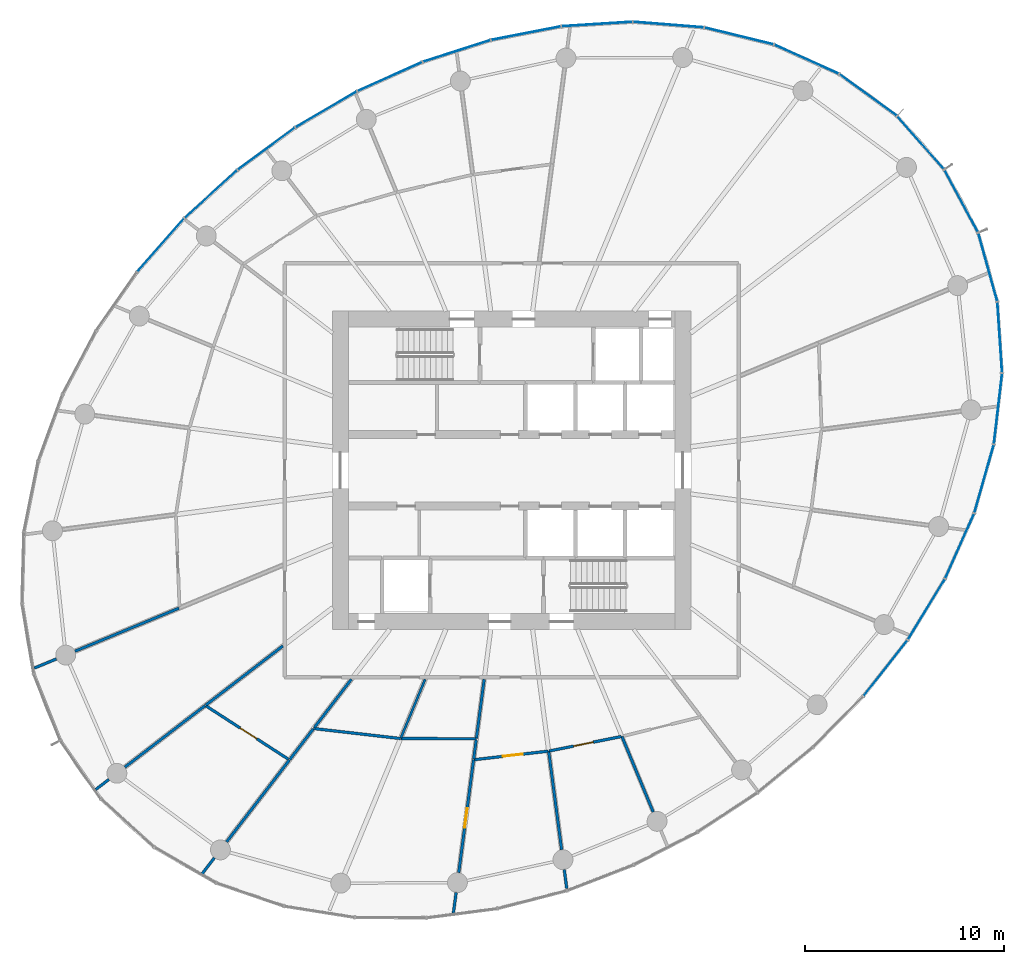
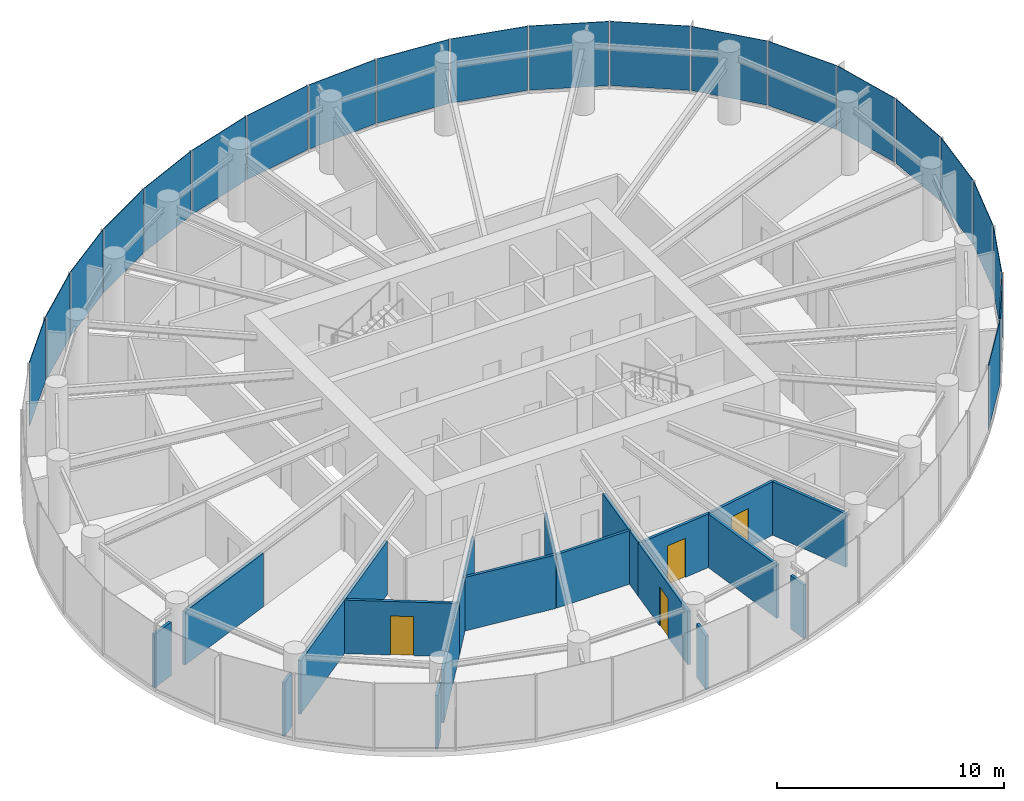
# One storey, part 8 of 14: 22 walls, 21 plates, 4 doors, 4 openings, 5 elements without a shape of their own.
"""IFC4 building model written with IfcOpenShell, lengths in metres."""

from ifc_helpers import new_model, si_unit, direction, frame, frame_2d, origin, origin_2d, place, context, subcontext, project, spatial, rectangle, extrude, source, transform, mapped, material, layer, layer_set, type_object, element, fill, aggregate, save


model = new_model("IFC4")

# Units and contexts
model_context = context("Model", 3, precision=1e-05, world=origin(), true_north=direction((0.0, 1.0)))
body_context = subcontext(model_context, "Body", "Model", "MODEL_VIEW")
ifc_project = project(units=[si_unit("LENGTHUNIT", "METRE"), si_unit("AREAUNIT", "SQUARE_METRE"), si_unit("VOLUMEUNIT", "CUBIC_METRE"), si_unit("PLANEANGLEUNIT", "RADIAN"), si_unit("MASSUNIT", "GRAM", prefix="KILO")], contexts=[model_context])

# Site, building, storey
site_placement = place(None, origin())
site = spatial("IfcSite", under=ifc_project, at=site_placement, CompositionType="ELEMENT")
building_placement = place(site_placement, origin())
building = spatial("IfcBuilding", under=site, at=building_placement, Name="Spindrift Exchange Tower", CompositionType="ELEMENT")
storey_placement = place(building_placement, frame((0.0, 0.0, 156.5)))
storey = spatial("IfcBuildingStorey", under=building, at=storey_placement, Name="L37", CompositionType="ELEMENT", Elevation=156.5)

# Curtain wall, plates
ifc_material_1 = material(Name="Fritted laminated glass with bronze frame", Category="glass")
ifc_layer_1 = layer(ifc_material_1, 0.179931640625)
ifc_layer_set_1 = layer_set([ifc_layer_1], Name="ZONE 3 BRONZE FRITTED WALL")
curtain_wall_type = type_object("IfcCurtainWallType", Name="ZONE 3 BRONZE FRITTED WALL", PredefinedType="NOTDEFINED", material=ifc_layer_set_1)
curtain_wall_1_placement = place(storey_placement, origin())
curtain_wall_1 = element("IfcCurtainWall", 1, at=curtain_wall_1_placement, inside=storey, type_object=curtain_wall_type, Name="L37 Zone 3 Bronze Fritted Wall run 2", PredefinedType="NOTDEFINED")
ifc_material_2 = material(Name="Bronze fritted laminated glass, open frit", Category="glass")
ifc_layer_2 = layer(ifc_material_2, 0.031982421875)
ifc_layer_set_2 = layer_set([ifc_layer_2], Name="ZONE 3 BRONZE FRITTED WALL PANEL OPEN FRIT 600")
plate_type_1 = type_object("IfcPlateType", Name="ZONE 3 BRONZE FRITTED WALL PANEL OPEN FRIT 600", PredefinedType="CURTAIN_PANEL", material=ifc_layer_set_2)
shared_shape_1 = source(origin(), body_context, "Body", "SweptSolid", [
    extrude(rectangle(XDim=3.53076171875, YDim=0.031982421875, at=origin_2d()), origin(), (0.0, 0.0, 1.0), 3.449951171875),
])
plate_1_placement = place(storey_placement, frame((45.88330078125, 67.772216796875, 0.1298828125), z_axis=(0.0, 0.0, 1.0), x_axis=(-0.912397501866, -0.409305263328, 0.0)))
plate_1 = element("IfcPlate", 2, at=plate_1_placement, type_object=plate_type_1, Name="L37 panel CW-3.9", PredefinedType="CURTAIN_PANEL", context=body_context, shape_type="MappedRepresentation", body=[
    mapped(shared_shape_1, transform((0.0, 0.0, 0.0), scale=1.0)),
])
ifc_layer_3 = layer(ifc_material_2, 0.031982421875)
ifc_layer_set_3 = layer_set([ifc_layer_3], Name="ZONE 3 BRONZE FRITTED WALL PANEL OPEN FRIT 360")
plate_type_2 = type_object("IfcPlateType", Name="ZONE 3 BRONZE FRITTED WALL PANEL OPEN FRIT 360", PredefinedType="CURTAIN_PANEL", material=ifc_layer_set_3)
shared_shape_2 = source(origin(), body_context, "Body", "SweptSolid", [
    extrude(rectangle(XDim=3.53076171875, YDim=0.031982421875, at=origin_2d()), origin(), (0.0, 0.0, 1.0), 3.449951171875),
])
plate_2_placement = place(storey_placement, frame((36.89794921875, 61.875244140625, 0.1298828125), z_axis=(0.0, 0.0, 1.0), x_axis=(-0.739077595143, -0.673620299841, 0.0)))
plate_2 = element("IfcPlate", 3, at=plate_2_placement, type_object=plate_type_2, Name="L37 panel CW-3.12", PredefinedType="CURTAIN_PANEL", context=body_context, shape_type="MappedRepresentation", body=[
    mapped(shared_shape_2, transform((0.0, 0.0, 0.0), scale=1.0)),
])
shared_shape_3 = source(origin(), body_context, "Body", "SweptSolid", [
    extrude(rectangle(XDim=3.530517578125, YDim=0.031982421875, at=origin_2d()), origin(), (0.0, 0.0, 1.0), 3.449951171875),
])
plate_3_placement = place(storey_placement, frame((49.239990234375, 69.059326171875, 0.1298828125), z_axis=(0.0, 0.0, 1.0), x_axis=(-0.952164599996, -0.305585625503, 0.0)))
plate_3 = element("IfcPlate", 4, at=plate_3_placement, type_object=plate_type_1, Name="L37 panel CW-3.8", PredefinedType="CURTAIN_PANEL", context=body_context, shape_type="MappedRepresentation", body=[
    mapped(shared_shape_3, transform((0.0, 0.0, 0.0), scale=1.0)),
])

# Curtain wall, plate
curtain_wall_2_placement = place(storey_placement, origin())
curtain_wall_2 = element("IfcCurtainWall", 5, at=curtain_wall_2_placement, inside=storey, type_object=curtain_wall_type, Name="L37 Zone 3 Bronze Fritted Wall run 6", PredefinedType="NOTDEFINED")
ifc_layer_4 = layer(ifc_material_2, 0.031982421875)
ifc_layer_set_4 = layer_set([ifc_layer_4], Name="ZONE 3 BRONZE FRITTED WALL PANEL OPEN FRIT 480")
plate_type_3 = type_object("IfcPlateType", Name="ZONE 3 BRONZE FRITTED WALL PANEL OPEN FRIT 480", PredefinedType="CURTAIN_PANEL", material=ifc_layer_set_4)
shared_shape_4 = source(origin(), body_context, "Body", "SweptSolid", [
    extrude(rectangle(XDim=3.530517578125, YDim=0.031982421875, at=origin_2d()), origin(), (0.0, 0.0, 1.0), 3.449951171875),
])
plate_4_placement = place(storey_placement, frame((70.774658203125, 38.069091796875, 0.1298828125), z_axis=(0.0, 0.0, 1.0), x_axis=(0.61845639947, 0.78581911529, 0.0)))
plate_4 = element("IfcPlate", 6, at=plate_4_placement, type_object=plate_type_3, Name="L37 panel CW-3.34", PredefinedType="CURTAIN_PANEL", context=body_context, shape_type="MappedRepresentation", body=[
    mapped(shared_shape_4, transform((0.0, 0.0, 0.0), scale=1.0)),
])

# Plate
shared_shape_5 = source(origin(), body_context, "Body", "SweptSolid", [
    extrude(rectangle(XDim=3.531005859375, YDim=0.031982421875, at=origin_2d()), origin(), (0.0, 0.0, 1.0), 3.449951171875),
])
plate_5_placement = place(storey_placement, frame((42.685791015625, 66.12744140625, 0.1298828125), z_axis=(0.0, 0.0, 1.0), x_axis=(-0.863565451016, -0.504236761661, 0.0)))
plate_5 = element("IfcPlate", 7, at=plate_5_placement, type_object=plate_type_3, Name="L37 panel CW-3.10", PredefinedType="CURTAIN_PANEL", context=body_context, shape_type="MappedRepresentation", body=[
    mapped(shared_shape_5, transform((0.0, 0.0, 0.0), scale=1.0)),
])

plate_6_placement = place(storey_placement, frame((39.6796875, 64.15380859375, 0.1298828125), z_axis=(0.0, 0.0, 1.0), x_axis=(-0.805965477943, -0.591962539663, 0.0)))
plate_6 = element("IfcPlate", 8, at=plate_6_placement, type_object=plate_type_3, Name="L37 panel CW-3.11", PredefinedType="CURTAIN_PANEL", context=body_context, shape_type="MappedRepresentation", body=[
    mapped(shared_shape_5, transform((0.0, 0.0, 0.0), scale=1.0)),
])

# Curtain wall, plate
curtain_wall_3_placement = place(storey_placement, origin())
curtain_wall_3 = element("IfcCurtainWall", 9, at=curtain_wall_3_placement, inside=storey, type_object=curtain_wall_type, Name="L37 Zone 3 Bronze Fritted Wall run 3", PredefinedType="NOTDEFINED")
shared_shape_6 = source(origin(), body_context, "Body", "SweptSolid", [
    extrude(rectangle(XDim=3.53076171875, YDim=0.031982421875, at=origin_2d()), origin(), (0.0, 0.0, 1.0), 3.449951171875),
])
plate_7_placement = place(storey_placement, frame((34.376220703125, 59.312744140625, 0.1298828125), z_axis=(0.0, 0.0, 1.0), x_axis=(-0.661686211487, -0.749780873008, 0.0)))
plate_7 = element("IfcPlate", 10, at=plate_7_placement, type_object=plate_type_3, Name="L37 panel CW-3.13", PredefinedType="CURTAIN_PANEL", context=body_context, shape_type="MappedRepresentation", body=[
    mapped(shared_shape_6, transform((0.0, 0.0, 0.0), scale=1.0)),
])
aggregate(curtain_wall_3, [plate_7])

curtain_wall_4_placement = place(storey_placement, origin())
curtain_wall_4 = element("IfcCurtainWall", 11, at=curtain_wall_4_placement, inside=storey, type_object=curtain_wall_type, Name="L37 Zone 3 Bronze Fritted Wall run 1", PredefinedType="NOTDEFINED")
shared_shape_7 = source(origin(), body_context, "Body", "SweptSolid", [
    extrude(rectangle(XDim=3.529052734375, YDim=0.031982421875, at=origin_2d()), origin(), (0.0, 0.0, 1.0), 3.449951171875),
])
plate_8_placement = place(storey_placement, frame((59.874755859375, 70.3828125, 0.1298828125), z_axis=(0.0, 0.0, 1.0), x_axis=(-0.99685097737, 0.079297723277, 0.0)))
plate_8 = element("IfcPlate", 12, at=plate_8_placement, type_object=plate_type_2, Name="L37 panel CW-3.5", PredefinedType="CURTAIN_PANEL", context=body_context, shape_type="MappedRepresentation", body=[
    mapped(shared_shape_7, transform((0.0, 0.0, 0.0), scale=1.0)),
])

# Plate
shared_shape_8 = source(origin(), body_context, "Body", "SweptSolid", [
    extrude(rectangle(XDim=3.52978515625, YDim=0.031982421875, at=origin_2d()), origin(), (0.0, 0.0, 1.0), 3.449951171875),
])
plate_9_placement = place(storey_placement, frame((74.49853515625, 44.19970703125, 0.1298828125), z_axis=(0.0, 0.0, 1.0), x_axis=(0.407490673381, 0.913209368714, 0.0)))
plate_9 = element("IfcPlate", 13, at=plate_9_placement, type_object=plate_type_2, Name="L37 panel CW-3.36", PredefinedType="CURTAIN_PANEL", context=body_context, shape_type="MappedRepresentation", body=[
    mapped(shared_shape_8, transform((0.0, 0.0, 0.0), scale=1.0)),
])

shared_shape_9 = source(origin(), body_context, "Body", "SweptSolid", [
    extrude(rectangle(XDim=3.5302734375, YDim=0.031982421875, at=origin_2d()), origin(), (0.0, 0.0, 1.0), 3.449951171875),
])
plate_10_placement = place(storey_placement, frame((72.82666015625, 41.019775390625, 0.1298828125), z_axis=(0.0, 0.0, 1.0), x_axis=(0.521344780273, 0.853346131462, 0.0)))
plate_10 = element("IfcPlate", 14, at=plate_10_placement, type_object=plate_type_2, Name="L37 panel CW-3.35", PredefinedType="CURTAIN_PANEL", context=body_context, shape_type="MappedRepresentation", body=[
    mapped(shared_shape_9, transform((0.0, 0.0, 0.0), scale=1.0)),
])

aggregate(curtain_wall_2, [plate_4, plate_10, plate_9])

# Curtain wall, plate
curtain_wall_5_placement = place(storey_placement, origin())
curtain_wall_5 = element("IfcCurtainWall", 15, at=curtain_wall_5_placement, inside=storey, type_object=curtain_wall_type, Name="L37 Zone 3 Bronze Fritted Wall run 7", PredefinedType="NOTDEFINED")
shared_shape_10 = source(origin(), body_context, "Body", "SweptSolid", [
    extrude(rectangle(XDim=3.529052734375, YDim=0.031982421875, at=origin_2d()), origin(), (0.0, 0.0, 1.0), 3.449951171875),
])
plate_11_placement = place(storey_placement, frame((75.723876953125, 47.574462890625, 0.1298828125), z_axis=(0.0, 0.0, 1.0), x_axis=(0.273314592, 0.96192470277, 0.0)))
plate_11 = element("IfcPlate", 16, at=plate_11_placement, type_object=plate_type_3, Name="L37 panel CW-3.37", PredefinedType="CURTAIN_PANEL", context=body_context, shape_type="MappedRepresentation", body=[
    mapped(shared_shape_10, transform((0.0, 0.0, 0.0), scale=1.0)),
])

# Plate
shared_shape_11 = source(origin(), body_context, "Body", "SweptSolid", [
    extrude(rectangle(XDim=3.528076171875, YDim=0.031982421875, at=origin_2d()), origin(), (0.0, 0.0, 1.0), 3.449951171875),
])
plate_12_placement = place(storey_placement, frame((63.416015625, 69.81201171875, 0.1298828125), z_axis=(0.0, 0.0, 1.0), x_axis=(-0.971255303602, 0.238040196656, 0.0)))
plate_12 = element("IfcPlate", 17, at=plate_12_placement, type_object=plate_type_3, Name="L37 panel CW-3.4", PredefinedType="CURTAIN_PANEL", context=body_context, shape_type="MappedRepresentation", body=[
    mapped(shared_shape_11, transform((0.0, 0.0, 0.0), scale=1.0)),
])

shared_shape_12 = source(origin(), body_context, "Body", "SweptSolid", [
    extrude(rectangle(XDim=3.524658203125, YDim=0.031982421875, at=origin_2d()), origin(), (0.0, 0.0, 1.0), 3.449951171875),
])
plate_13_placement = place(storey_placement, frame((72.542724609375, 64.44921875, 0.1298828125), z_axis=(0.0, 0.0, 1.0), x_axis=(-0.660662258976, 0.750683275133, 0.0)))
plate_13 = element("IfcPlate", 18, at=plate_13_placement, type_object=plate_type_3, Name="L37 panel CW-3.1", PredefinedType="CURTAIN_PANEL", context=body_context, shape_type="MappedRepresentation", body=[
    mapped(shared_shape_12, transform((0.0, 0.0, 0.0), scale=1.0)),
])

shared_shape_13 = source(origin(), body_context, "Body", "SweptSolid", [
    extrude(rectangle(XDim=3.528076171875, YDim=0.031982421875, at=origin_2d()), origin(), (0.0, 0.0, 1.0), 3.449951171875),
])
plate_14_placement = place(storey_placement, frame((76.423583984375, 51.092529296875, 0.1298828125), z_axis=(0.0, 0.0, 1.0), x_axis=(0.115642762791, 0.993290869491, 0.0)))
plate_14 = element("IfcPlate", 19, at=plate_14_placement, type_object=plate_type_1, Name="L37 panel CW-3.38", PredefinedType="CURTAIN_PANEL", context=body_context, shape_type="MappedRepresentation", body=[
    mapped(shared_shape_13, transform((0.0, 0.0, 0.0), scale=1.0)),
])

shared_shape_14 = source(origin(), body_context, "Body", "SweptSolid", [
    extrude(rectangle(XDim=3.52978515625, YDim=0.031982421875, at=origin_2d()), origin(), (0.0, 0.0, 1.0), 3.449951171875),
])
plate_15_placement = place(storey_placement, frame((56.284423828125, 70.411376953125, 0.1298828125), z_axis=(0.0, 0.0, 1.0), x_axis=(-0.997985196904, -0.063447196626, 0.0)))
plate_15 = element("IfcPlate", 20, at=plate_15_placement, type_object=plate_type_3, Name="L37 panel CW-3.6", PredefinedType="CURTAIN_PANEL", context=body_context, shape_type="MappedRepresentation", body=[
    mapped(shared_shape_14, transform((0.0, 0.0, 0.0), scale=1.0)),
])

shared_shape_15 = source(origin(), body_context, "Body", "SweptSolid", [
    extrude(rectangle(XDim=3.525634765625, YDim=0.031982421875, at=origin_2d()), origin(), (0.0, 0.0, 1.0), 3.449951171875),
])
plate_16_placement = place(storey_placement, frame((75.912109375, 58.20068359375, 0.1298828125), z_axis=(0.0, 0.0, 1.0), x_axis=(-0.267551186541, 0.963543648508, 0.0)))
plate_16 = element("IfcPlate", 21, at=plate_16_placement, type_object=plate_type_3, Name="L37 panel CW-3.40", PredefinedType="CURTAIN_PANEL", context=body_context, shape_type="MappedRepresentation", body=[
    mapped(shared_shape_15, transform((0.0, 0.0, 0.0), scale=1.0)),
])

shared_shape_16 = source(origin(), body_context, "Body", "SweptSolid", [
    extrude(rectangle(XDim=3.5302734375, YDim=0.031982421875, at=origin_2d()), origin(), (0.0, 0.0, 1.0), 3.449951171875),
])
plate_17_placement = place(storey_placement, frame((52.72119140625, 69.953369140625, 0.1298828125), z_axis=(0.0, 0.0, 1.0), x_axis=(-0.981587532358, -0.191012869514, 0.0)))
plate_17 = element("IfcPlate", 22, at=plate_17_placement, type_object=plate_type_1, Name="L37 panel CW-3.7", PredefinedType="CURTAIN_PANEL", context=body_context, shape_type="MappedRepresentation", body=[
    mapped(shared_shape_16, transform((0.0, 0.0, 0.0), scale=1.0)),
])

aggregate(curtain_wall_1, [plate_17, plate_3, plate_1, plate_5, plate_6, plate_2])

shared_shape_17 = source(origin(), body_context, "Body", "SweptSolid", [
    extrude(rectangle(XDim=3.525634765625, YDim=0.031982421875, at=origin_2d()), origin(), (0.0, 0.0, 1.0), 3.449951171875),
])
plate_18_placement = place(storey_placement, frame((69.8994140625, 66.853515625, 0.1298828125), z_axis=(0.0, 0.0, 1.0), x_axis=(-0.809757036341, 0.586765321143, 0.0)))
plate_18 = element("IfcPlate", 23, at=plate_18_placement, type_object=plate_type_1, Name="L37 panel CW-3.2", PredefinedType="CURTAIN_PANEL", context=body_context, shape_type="MappedRepresentation", body=[
    mapped(shared_shape_17, transform((0.0, 0.0, 0.0), scale=1.0)),
])

shared_shape_18 = source(origin(), body_context, "Body", "SweptSolid", [
    extrude(rectangle(XDim=3.52685546875, YDim=0.031982421875, at=origin_2d()), origin(), (0.0, 0.0, 1.0), 3.449951171875),
])
plate_19_placement = place(storey_placement, frame((66.803466796875, 68.64599609375, 0.1298828125), z_axis=(0.0, 0.0, 1.0), x_axis=(-0.9120027449, 0.410184096832, 0.0)))
plate_19 = element("IfcPlate", 24, at=plate_19_placement, type_object=plate_type_1, Name="L37 panel CW-3.3", PredefinedType="CURTAIN_PANEL", context=body_context, shape_type="MappedRepresentation", body=[
    mapped(shared_shape_18, transform((0.0, 0.0, 0.0), scale=1.0)),
])

aggregate(curtain_wall_4, [plate_13, plate_18, plate_19, plate_12, plate_8, plate_15])

plate_20_placement = place(storey_placement, frame((76.512451171875, 54.674072265625, 0.1298828125), z_axis=(0.0, 0.0, 1.0), x_axis=(-0.066390579917, 0.997793711595, 0.0)))
plate_20 = element("IfcPlate", 25, at=plate_20_placement, type_object=plate_type_1, Name="L37 panel CW-3.39", PredefinedType="CURTAIN_PANEL", context=body_context, shape_type="MappedRepresentation", body=[
    mapped(shared_shape_18, transform((0.0, 0.0, 0.0), scale=1.0)),
])

shared_shape_19 = source(origin(), body_context, "Body", "SweptSolid", [
    extrude(rectangle(XDim=3.52490234375, YDim=0.031982421875, at=origin_2d()), origin(), (0.0, 0.0, 1.0), 3.449951171875),
])
plate_21_placement = place(storey_placement, frame((74.58056640625, 61.5166015625, 0.1298828125), z_axis=(0.0, 0.0, 1.0), x_axis=(-0.473127475376, 0.880993979574, 0.0)))
plate_21 = element("IfcPlate", 26, at=plate_21_placement, type_object=plate_type_1, Name="L37 panel CW-3.41", PredefinedType="CURTAIN_PANEL", context=body_context, shape_type="MappedRepresentation", body=[
    mapped(shared_shape_19, transform((0.0, 0.0, 0.0), scale=1.0)),
])

aggregate(curtain_wall_5, [plate_11, plate_14, plate_20, plate_16, plate_21])

# Wall, opening, door
ifc_material_3 = material(Name="Fire-rated plasterboard partition", Category="gypsum")
ifc_layer_5 = layer(ifc_material_3, 0.139892578125)
ifc_layer_set_5 = layer_set([ifc_layer_5], Name="W-PART-140")
wall_type_1 = type_object("IfcWallType", Name="W-PART-140", PredefinedType="PARTITIONING", material=ifc_layer_set_5)
wall_1_placement = place(storey_placement, frame((49.33984375, 27.794921875, 0.0), z_axis=(0.0, 0.0, 1.0), x_axis=(0.13055608231, 0.99144092581, 0.0)))
wall_1 = element("IfcWall", 27, at=wall_1_placement, inside=storey, type_object=wall_type_1, Name="L37 Partition wall 35", PredefinedType="PARTITIONING", context=body_context, shape_type="SweptSolid", body=[
    extrude(rectangle(XDim=5.720458984375, YDim=0.139892578125, at=frame_2d((2.8603515625, 0.0))), origin(), (0.0, 0.0, 1.0), 2.8798828125),
])
opening_1_placement = place(wall_1_placement, frame((2.2705078125, 0.0, 0.0)))
opening_1 = element("IfcOpeningElement", 28, at=opening_1_placement, cuts=wall_1, Name="Opening L37-D25", PredefinedType="OPENING", context=body_context, shape_type="SweptSolid", body=[
    extrude(rectangle(XDim=1.0, YDim=2.10009765625, at=frame_2d((0.5, 1.050048828125))), frame((0.0, 0.079833984375, 0.0), z_axis=(0.0, -1.0, 0.0), x_axis=(1.0, 0.0, 0.0)), (0.0, 0.0, 1.0), 0.159912109375),
])
ifc_material_4 = material(Name="Timber-core fire door", Category="wood")
door_type = type_object("IfcDoorType", Name="DR-ROOM-1000", OperationType="NOTDEFINED", PredefinedType="DOOR", material=ifc_material_4)
shared_shape_20 = source(origin(), body_context, "Body", "SweptSolid", [
    extrude(rectangle(XDim=1.0, YDim=2.10009765625, at=frame_2d((0.5, 1.050048828125))), frame((0.0, 0.02490234375, 0.0), z_axis=(0.0, -1.0, 0.0), x_axis=(1.0, 0.0, 0.0)), (0.0, 0.0, 1.0), 0.050048828125),
])
door_1_placement = place(opening_1_placement, origin())
door_1 = element("IfcDoor", 29, at=door_1_placement, inside=storey, type_object=door_type, Name="L37 Door 25", OperationType="SINGLE_SWING_RIGHT", OverallHeight=2.10009765625, OverallWidth=1.0, PredefinedType="DOOR", context=body_context, shape_type="MappedRepresentation", body=[
    mapped(shared_shape_20, transform((0.0, 0.0, 0.0), scale=1.0)),
])
fill(opening_1, door_1)

# Walls
wall_2_placement = place(storey_placement, frame((35.292724609375, 41.07958984375, 0.0), z_axis=(0.0, 0.0, 1.0), x_axis=(-0.923883666289, -0.38267345239, 0.0)))
element("IfcWall", 30, at=wall_2_placement, inside=storey, type_object=wall_type_1, Name="L37 Partition wall 37", PredefinedType="PARTITIONING", context=body_context, shape_type="SweptSolid", body=[
    extrude(rectangle(XDim=5.6533203125, YDim=0.139892578125, at=frame_2d((2.82666015625, 0.0))), origin(), (0.0, 0.0, 1.0), 2.8798828125),
])
wall_3_placement = place(storey_placement, frame((40.840576171875, 33.456787109375, 0.0), z_axis=(0.0, 0.0, 1.0), x_axis=(-0.608780216018, -0.793338924159, 0.0)))
element("IfcWall", 31, at=wall_3_placement, inside=storey, type_object=wall_type_1, Name="L37 Partition wall 38", PredefinedType="PARTITIONING", context=body_context, shape_type="SweptSolid", body=[
    extrude(rectangle(XDim=5.188232421875, YDim=0.139892578125, at=frame_2d((2.59423828125, 0.0))), origin(), (0.0, 0.0, 1.0), 2.8798828125),
])
wall_4_placement = place(storey_placement, frame((36.6142578125, 36.194091796875, 0.0), z_axis=(0.0, 0.0, 1.0), x_axis=(-0.79337017358, -0.608739490811, 0.0)))
element("IfcWall", 32, at=wall_4_placement, inside=storey, type_object=wall_type_1, Name="L37 Partition wall 39", PredefinedType="PARTITIONING", context=body_context, shape_type="SweptSolid", body=[
    extrude(rectangle(XDim=5.09228515625, YDim=0.139892578125, at=frame_2d((2.546142578125, 0.0))), origin(), (0.0, 0.0, 1.0), 2.8798828125),
])

# Wall, opening, door
wall_5_placement = place(storey_placement, frame((40.78173828125, 33.4951171875, 0.0), z_axis=(0.0, 0.0, 1.0), x_axis=(-0.839336490457, 0.543612229247, 0.0)))
wall_5 = element("IfcWall", 33, at=wall_5_placement, inside=storey, type_object=wall_type_1, Name="L37 Partition wall 40", PredefinedType="PARTITIONING", context=body_context, shape_type="SweptSolid", body=[
    extrude(rectangle(XDim=4.935302734375, YDim=0.139892578125, at=frame_2d((2.4677734375, 0.0))), origin(), (0.0, 0.0, 1.0), 2.8798828125),
])
opening_2_placement = place(wall_5_placement, frame((1.885009765625, 0.0, 0.0)))
opening_2 = element("IfcOpeningElement", 34, at=opening_2_placement, cuts=wall_5, Name="Opening L37-D44", PredefinedType="OPENING", context=body_context, shape_type="SweptSolid", body=[
    extrude(rectangle(XDim=1.0, YDim=2.10009765625, at=frame_2d((0.5, 1.050048828125))), frame((0.0, 0.079833984375, 0.0), z_axis=(0.0, -1.0, 0.0), x_axis=(1.0, 0.0, 0.0)), (0.0, 0.0, 1.0), 0.159912109375),
])
door_2_placement = place(opening_2_placement, origin())
door_2 = element("IfcDoor", 35, at=door_2_placement, inside=storey, type_object=door_type, Name="L37 Door 44", OperationType="SINGLE_SWING_LEFT", OverallHeight=2.10009765625, OverallWidth=1.0, PredefinedType="DOOR", context=body_context, shape_type="MappedRepresentation", body=[
    mapped(shared_shape_20, transform((0.0, 0.0, 0.0), scale=1.0)),
])
fill(opening_2, door_2)

# Walls
wall_6_placement = place(storey_placement, frame((40.510009765625, 39.183349609375, 0.0), z_axis=(0.0, 0.0, 1.0), x_axis=(-0.793354275357, -0.608760210405, 0.0)))
element("IfcWall", 36, at=wall_6_placement, inside=storey, type_object=wall_type_1, Name="L37 Partition wall 41", PredefinedType="PARTITIONING", context=body_context, shape_type="SweptSolid", body=[
    extrude(rectangle(XDim=4.88037109375, YDim=0.139892578125, at=frame_2d((2.440185546875, 0.0))), origin(), (0.0, 0.0, 1.0), 2.8798828125),
])
wall_7_placement = place(storey_placement, frame((53.856201171875, 33.900390625, 0.0), z_axis=(0.0, 0.0, 1.0), x_axis=(0.130517737487, -0.991445974424, 0.0)))
element("IfcWall", 37, at=wall_7_placement, inside=storey, type_object=wall_type_1, Name="L37 Partition wall 43", PredefinedType="PARTITIONING", context=body_context, shape_type="SweptSolid", body=[
    extrude(rectangle(XDim=4.994384765625, YDim=0.139892578125, at=frame_2d((2.4970703125, 0.0))), origin(), (0.0, 0.0, 1.0), 2.8798828125),
])
wall_8_placement = place(storey_placement, frame((42.0517578125, 35.03515625, 0.0), z_axis=(0.0, 0.0, 1.0), x_axis=(0.993448498383, -0.114280711669, 0.0)))
element("IfcWall", 38, at=wall_8_placement, inside=storey, type_object=wall_type_1, Name="L37 Partition wall 51", PredefinedType="PARTITIONING", context=body_context, shape_type="SweptSolid", body=[
    extrude(rectangle(XDim=4.398681640625, YDim=0.139892578125, at=frame_2d((2.19921875, 0.0))), origin(), (0.0, 0.0, 1.0), 2.8798828125),
])
wall_9_placement = place(storey_placement, frame((57.5341796875, 34.639404296875, 0.0), z_axis=(0.0, 0.0, 1.0), x_axis=(0.382696163026, -0.923874259196, 0.0)))
element("IfcWall", 39, at=wall_9_placement, inside=storey, type_object=wall_type_1, Name="L37 Partition wall 57", PredefinedType="PARTITIONING", context=body_context, shape_type="SweptSolid", body=[
    extrude(rectangle(XDim=4.111572265625, YDim=0.139892578125, at=frame_2d((2.0556640625, 0.0))), origin(), (0.0, 0.0, 1.0), 2.8798828125),
])
wall_10_placement = place(storey_placement, frame((46.45166015625, 34.532470703125, 0.0), z_axis=(0.0, 0.0, 1.0), x_axis=(0.999995948964, -0.002846411033, 0.0)))
element("IfcWall", 40, at=wall_10_placement, inside=storey, type_object=wall_type_1, Name="L37 Partition wall 63", PredefinedType="PARTITIONING", context=body_context, shape_type="SweptSolid", body=[
    extrude(rectangle(XDim=3.77392578125, YDim=0.139892578125, at=frame_2d((1.886962890625, 0.0))), origin(), (0.0, 0.0, 1.0), 2.8798828125),
])

# Wall, opening, door
wall_11_placement = place(storey_placement, frame((53.826416015625, 33.89697265625, 0.0), z_axis=(0.0, 0.0, 1.0), x_axis=(-0.993434107381, -0.114405744138, 0.0)))
wall_11 = element("IfcWall", 41, at=wall_11_placement, inside=storey, type_object=wall_type_1, Name="L37 Partition wall 64", PredefinedType="PARTITIONING", context=body_context, shape_type="SweptSolid", body=[
    extrude(rectangle(XDim=3.734375, YDim=0.139892578125, at=frame_2d((1.8671875, 0.0))), origin(), (0.0, 0.0, 1.0), 2.8798828125),
])
opening_3_placement = place(wall_11_placement, frame((1.28466796875, 0.0, 0.0)))
opening_3 = element("IfcOpeningElement", 42, at=opening_3_placement, cuts=wall_11, Name="Opening L37-D22", PredefinedType="OPENING", context=body_context, shape_type="SweptSolid", body=[
    extrude(rectangle(XDim=1.0, YDim=2.10009765625, at=frame_2d((0.5, 1.050048828125))), frame((0.0, 0.079833984375, 0.0), z_axis=(0.0, -1.0, 0.0), x_axis=(1.0, 0.0, 0.0)), (0.0, 0.0, 1.0), 0.159912109375),
])
door_3_placement = place(opening_3_placement, origin())
door_3 = element("IfcDoor", 43, at=door_3_placement, inside=storey, type_object=door_type, Name="L37 Door 22", OperationType="SINGLE_SWING_LEFT", OverallHeight=2.10009765625, OverallWidth=1.0, PredefinedType="DOOR", context=body_context, shape_type="MappedRepresentation", body=[
    mapped(shared_shape_20, transform((0.0, 0.0, 0.0), scale=1.0)),
])
fill(opening_3, door_3)

wall_12_placement = place(storey_placement, frame((57.504638671875, 34.633544921875, 0.0), z_axis=(0.0, 0.0, 1.0), x_axis=(-0.980399657824, -0.197019062376, 0.0)))
wall_12 = element("IfcWall", 44, at=wall_12_placement, inside=storey, type_object=wall_type_1, Name="L37 Partition wall 65", PredefinedType="PARTITIONING", context=body_context, shape_type="SweptSolid", body=[
    extrude(rectangle(XDim=3.69140625, YDim=0.139892578125, at=frame_2d((1.845703125, 0.0))), origin(), (0.0, 0.0, 1.0), 2.8798828125),
])
opening_4_placement = place(wall_12_placement, frame((1.44140625, 0.0, 0.0)))
opening_4 = element("IfcOpeningElement", 45, at=opening_4_placement, cuts=wall_12, Name="Opening L37-D23", PredefinedType="OPENING", context=body_context, shape_type="SweptSolid", body=[
    extrude(rectangle(XDim=1.0, YDim=2.10009765625, at=frame_2d((0.5, 1.050048828125))), frame((0.0, 0.079833984375, 0.0), z_axis=(0.0, -1.0, 0.0), x_axis=(1.0, 0.0, 0.0)), (0.0, 0.0, 1.0), 0.159912109375),
])
door_4_placement = place(opening_4_placement, origin())
door_4 = element("IfcDoor", 46, at=door_4_placement, inside=storey, type_object=door_type, Name="L37 Door 23", OperationType="SINGLE_SWING_RIGHT", OverallHeight=2.10009765625, OverallWidth=1.0, PredefinedType="DOOR", context=body_context, shape_type="MappedRepresentation", body=[
    mapped(shared_shape_20, transform((0.0, 0.0, 0.0), scale=1.0)),
])
fill(opening_4, door_4)

# Walls
wall_13_placement = place(storey_placement, frame((43.95068359375, 37.510009765625, 0.0), z_axis=(0.0, 0.0, 1.0), x_axis=(-0.608758797461, -0.793355359542, 0.0)))
element("IfcWall", 47, at=wall_13_placement, inside=storey, type_object=wall_type_1, Name="L37 Partition wall 68", PredefinedType="PARTITIONING", context=body_context, shape_type="SweptSolid", body=[
    extrude(rectangle(XDim=3.037841796875, YDim=0.139892578125, at=frame_2d((1.51904296875, 0.0))), origin(), (0.0, 0.0, 1.0), 2.8798828125),
])
wall_14_placement = place(storey_placement, frame((50.618896484375, 37.510009765625, 0.0), z_axis=(0.0, 0.0, 1.0), x_axis=(-0.13049684078, -0.991448725122, 0.0)))
element("IfcWall", 48, at=wall_14_placement, inside=storey, type_object=wall_type_1, Name="L37 Partition wall 69", PredefinedType="PARTITIONING", context=body_context, shape_type="SweptSolid", body=[
    extrude(rectangle(XDim=2.984130859375, YDim=0.139892578125, at=frame_2d((1.4921875, 0.0))), origin(), (0.0, 0.0, 1.0), 2.8798828125),
])
wall_15_placement = place(storey_placement, frame((42.033447265625, 35.011474609375, 0.0), z_axis=(0.0, 0.0, 1.0), x_axis=(-0.608750262105, -0.793361908833, 0.0)))
element("IfcWall", 49, at=wall_15_placement, inside=storey, type_object=wall_type_1, Name="L37 Partition wall 77", PredefinedType="PARTITIONING", context=body_context, shape_type="SweptSolid", body=[
    extrude(rectangle(XDim=1.929443359375, YDim=0.139892578125, at=frame_2d((0.96484375, 0.0))), origin(), (0.0, 0.0, 1.0), 2.8798828125),
])
wall_16_placement = place(storey_placement, frame((29.13671875, 38.52978515625, 0.0), z_axis=(0.0, 0.0, 1.0), x_axis=(-0.923882723383, -0.382675728829, 0.0)))
element("IfcWall", 50, at=wall_16_placement, inside=storey, type_object=wall_type_1, Name="L37 Partition wall 79", PredefinedType="PARTITIONING", context=body_context, shape_type="SweptSolid", body=[
    extrude(rectangle(XDim=1.1982421875, YDim=0.139892578125, at=frame_2d((0.59912109375, 0.0))), origin(), (0.0, 0.0, 1.0), 2.8798828125),
])
wall_17_placement = place(storey_placement, frame((50.21630859375, 34.45166015625, 0.0), z_axis=(0.0, 0.0, 1.0), x_axis=(-0.130454512571, -0.991454295543, 0.0)))
element("IfcWall", 51, at=wall_17_placement, inside=storey, type_object=wall_type_1, Name="L37 Partition wall 81", PredefinedType="PARTITIONING", context=body_context, shape_type="SweptSolid", body=[
    extrude(rectangle(XDim=0.9638671875, YDim=0.139892578125, at=frame_2d((0.48193359375, 0.0))), origin(), (0.0, 0.0, 1.0), 2.8798828125),
])
wall_18_placement = place(storey_placement, frame((49.208251953125, 26.794677734375, 0.0), z_axis=(0.0, 0.0, 1.0), x_axis=(-0.130569518357, -0.991439156417, 0.0)))
element("IfcWall", 52, at=wall_18_placement, inside=storey, type_object=wall_type_1, Name="L37 Partition wall 82", PredefinedType="PARTITIONING", context=body_context, shape_type="SweptSolid", body=[
    extrude(rectangle(XDim=1.04345703125, YDim=0.139892578125, at=frame_2d((0.521728515625, 0.0))), origin(), (0.0, 0.0, 1.0), 2.8798828125),
])
wall_19_placement = place(storey_placement, frame((37.068115234375, 28.540283203125, 0.0), z_axis=(0.0, 0.0, 1.0), x_axis=(-0.608815264587, -0.793312027897, 0.0)))
element("IfcWall", 53, at=wall_19_placement, inside=storey, type_object=wall_type_1, Name="L37 Partition wall 84", PredefinedType="PARTITIONING", context=body_context, shape_type="SweptSolid", body=[
    extrude(rectangle(XDim=1.014892578125, YDim=0.139892578125, at=frame_2d((0.50732421875, 0.0))), origin(), (0.0, 0.0, 1.0), 2.8798828125),
])
wall_20_placement = place(storey_placement, frame((54.639892578125, 27.948486328125, 0.0), z_axis=(0.0, 0.0, 1.0), x_axis=(0.130434626054, -0.991456911987, 0.0)))
element("IfcWall", 54, at=wall_20_placement, inside=storey, type_object=wall_type_1, Name="L37 Partition wall 85", PredefinedType="PARTITIONING", context=body_context, shape_type="SweptSolid", body=[
    extrude(rectangle(XDim=0.95263671875, YDim=0.139892578125, at=frame_2d((0.476318359375, 0.0))), origin(), (0.0, 0.0, 1.0), 2.8798828125),
])
wall_21_placement = place(storey_placement, frame((31.77392578125, 32.47998046875, 0.0), z_axis=(0.0, 0.0, 1.0), x_axis=(-0.793296212725, -0.608835871871, 0.0)))
element("IfcWall", 55, at=wall_21_placement, inside=storey, type_object=wall_type_1, Name="L37 Partition wall 93", PredefinedType="PARTITIONING", context=body_context, shape_type="SweptSolid", body=[
    extrude(rectangle(XDim=0.83642578125, YDim=0.139892578125, at=frame_2d((0.418212890625, 0.0))), origin(), (0.0, 0.0, 1.0), 2.8798828125),
])
ifc_layer_6 = layer(ifc_material_3, 0.1201171875)
ifc_layer_set_6 = layer_set([ifc_layer_6], Name="W-WET-120")
wall_type_2 = type_object("IfcWallType", Name="W-WET-120", PredefinedType="PARTITIONING", material=ifc_layer_set_6)
wall_22_placement = place(storey_placement, frame((47.65478515625, 37.510009765625, 0.0), z_axis=(0.0, 0.0, 1.0), x_axis=(-0.382648952505, -0.923893813783, 0.0)))
element("IfcWall", 56, at=wall_22_placement, inside=storey, type_object=wall_type_2, Name="L37 Partition wall 99", PredefinedType="PARTITIONING", context=body_context, shape_type="SweptSolid", body=[
    extrude(rectangle(XDim=3.192626953125, YDim=0.1201171875, at=frame_2d((1.59619140625, 0.0))), origin(), (0.0, 0.0, 1.0), 2.8798828125),
])

save(model, "model.ifc")
